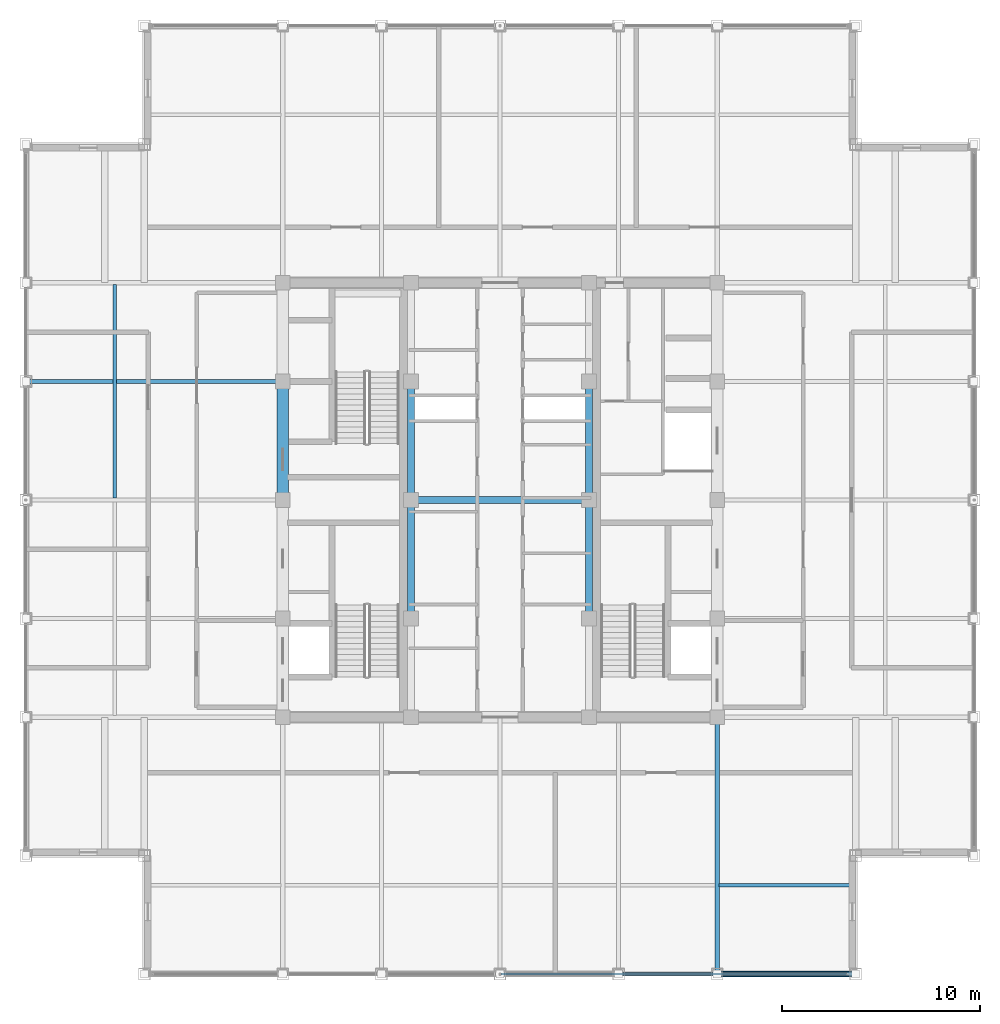
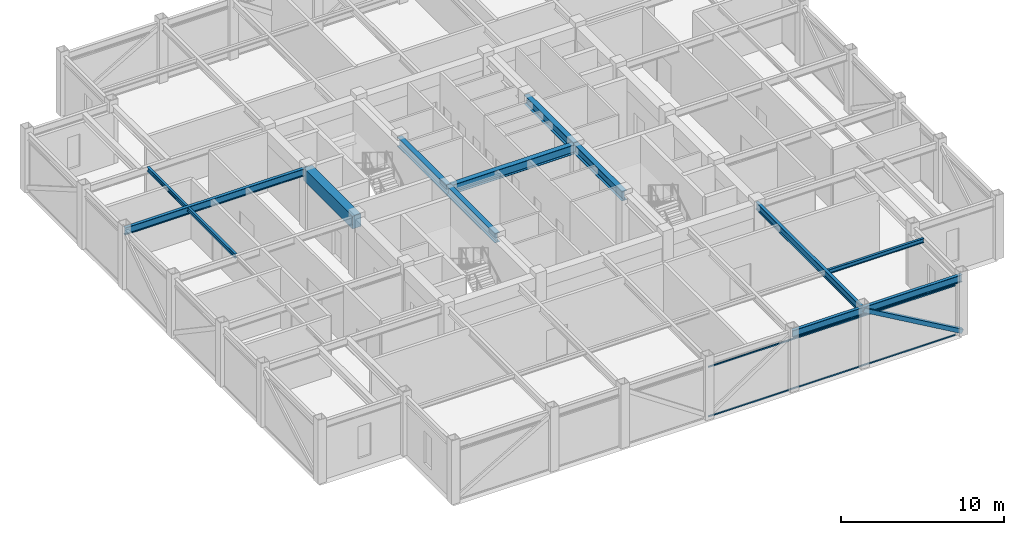
# One storey, part 7 of 27: 12 beams, 3 members, 1 element without a shape of its own.
"""IFC4 building model written with IfcOpenShell, lengths in metres."""

from ifc_helpers import new_model, si_unit, direction, frame, origin, origin_2d, place, context, subcontext, project, spatial, rectangle, hollow_rectangle, i_section, extrude, source, transform, mapped, material, material_profile, profile_set, type_object, element, aggregate, save


model = new_model("IFC4")

# Units and contexts
model_context = context("Model", 3, precision=1e-05, world=origin(), true_north=direction((0.0, 1.0)))
body_context = subcontext(model_context, "Body", "Model", "MODEL_VIEW")
ifc_project = project(units=[si_unit("LENGTHUNIT", "METRE"), si_unit("AREAUNIT", "SQUARE_METRE"), si_unit("VOLUMEUNIT", "CUBIC_METRE"), si_unit("PLANEANGLEUNIT", "RADIAN"), si_unit("MASSUNIT", "GRAM", prefix="KILO")], contexts=[model_context])

# Site, building, storey
site_placement = place(None, origin())
site = spatial("IfcSite", under=ifc_project, at=site_placement, CompositionType="ELEMENT")
building_placement = place(site_placement, origin())
building = spatial("IfcBuilding", under=site, at=building_placement, Name="Khorayat Bourse Tower", CompositionType="ELEMENT")
storey_placement = place(building_placement, frame((0.0, 0.0, 394.699951171875)))
storey = spatial("IfcBuildingStorey", under=building, at=storey_placement, Name="L93", CompositionType="ELEMENT", Elevation=394.699951171875)

# Beams
ifc_material_1 = material(Name="Steel ASTM A992 Grade 50", Category="steel")
ifc_material_profile_1 = material_profile(ifc_material_1, i_section(OverallWidth=0.35498046875, OverallDepth=0.695068359375, WebThickness=0.015380859375, FlangeThickness=0.02490234375, FilletRadius=0.01806640625, at=origin_2d()), Name="W690X217")
ifc_profile_set_1 = profile_set([ifc_material_profile_1], Name="Steel ASTM A992 Grade 50")
beam_type_1 = type_object("IfcBeamType", Name="BM-GIRD-690", PredefinedType="BEAM", material=ifc_profile_set_1)
shared_shape_1 = source(origin(), body_context, "Body", "SweptSolid", [
    extrude(i_section(OverallWidth=0.35498046875, OverallDepth=0.695068359375, WebThickness=0.015380859375, FlangeThickness=0.02490234375, FilletRadius=0.01806640625, at=origin_2d()), origin(), (0.0, 0.0, 1.0), 6.0),
])
for number, where, z_axis, x_axis, name in (
    (1, (-4.5, -6.0, 4.1025390625), (0.0, 1.0, 0.0), (-1.0, 0.0, 0.0), "L93 BM-GIRD-690 BM-L93-CRX-06"),
    (2, (-4.5, 0.0, 4.1025390625), (0.0, 1.0, 0.0), (-1.0, 0.0, 0.0), "L93 BM-GIRD-690 BM-L93-CRX-07"),
    (3, (4.5, -6.0, 4.1025390625), (0.0, 1.0, 0.0), (-1.0, 0.0, 0.0), "L93 BM-GIRD-690 BM-L93-CRX-10"),
    (4, (4.5, 0.0, 4.1025390625), (0.0, 1.0, 0.0), (-1.0, 0.0, 0.0), "L93 BM-GIRD-690 BM-L93-CRX-11"),
):
    element("IfcBeam", number, at=place(storey_placement, frame(where, z_axis=z_axis, x_axis=x_axis)), inside=storey, type_object=beam_type_1, Name=name, PredefinedType="BEAM", context=body_context, shape_type="MappedRepresentation", body=[
        mapped(shared_shape_1, transform((0.0, 0.0, 0.0), scale=1.0)),
    ])
shared_shape_2 = source(origin(), body_context, "Body", "SweptSolid", [
    extrude(i_section(OverallWidth=0.35498046875, OverallDepth=0.695068359375, WebThickness=0.015380859375, FlangeThickness=0.02490234375, FilletRadius=0.01806640625, at=origin_2d()), origin(), (0.0, 0.0, 1.0), 9.0),
])
beam_1_placement = place(storey_placement, frame((-4.5, 0.0, 4.1025390625), z_axis=(1.0, 0.0, 0.0), x_axis=(0.0, 1.0, 0.0)))
element("IfcBeam", 5, at=beam_1_placement, inside=storey, type_object=beam_type_1, Name="L93 BM-GIRD-690 BM-L93-CRY-23", PredefinedType="BEAM", context=body_context, shape_type="MappedRepresentation", body=[
    mapped(shared_shape_2, transform((0.0, 0.0, 0.0), scale=1.0)),
])
ifc_material_2 = material(Name="Concrete C60/75", Category="concrete")
ifc_material_profile_2 = material_profile(ifc_material_2, rectangle(XDim=0.60009765625, YDim=0.949951171875, at=origin_2d()), Name="RC 600x950")
ifc_profile_set_2 = profile_set([ifc_material_profile_2], Name="Concrete C60/75")
beam_type_2 = type_object("IfcBeamType", Name="BM-COUP-950", PredefinedType="BEAM", material=ifc_profile_set_2)
shared_shape_3 = source(origin(), body_context, "Body", "SweptSolid", [
    extrude(rectangle(XDim=0.60009765625, YDim=0.949951171875, at=origin_2d()), origin(), (0.0, 0.0, 1.0), 6.0),
])
beam_2_placement = place(storey_placement, frame((-11.0, 0.0, 3.97509765625), z_axis=(0.0, 1.0, 0.0), x_axis=(-1.0, 0.0, 0.0)))
element("IfcBeam", 6, at=beam_2_placement, inside=storey, type_object=beam_type_2, Name="L93 BM-COUP-950 BM-L93-CRX-03", PredefinedType="BEAM", context=body_context, shape_type="MappedRepresentation", body=[
    mapped(shared_shape_3, transform((0.0, 0.0, 0.0), scale=1.0)),
])
ifc_material_profile_3 = material_profile(ifc_material_1, i_section(OverallWidth=0.214111328125, OverallDepth=0.549072265625, WebThickness=0.0146484375, FlangeThickness=0.023681640625, FilletRadius=0.013916015625, at=origin_2d()), Name="W530X138")
ifc_profile_set_3 = profile_set([ifc_material_profile_3], Name="Steel ASTM A992 Grade 50")
beam_type_3 = type_object("IfcBeamType", Name="BM-SPAN-530", PredefinedType="SPANDREL", material=ifc_profile_set_3)
shared_shape_4 = source(origin(), body_context, "Body", "SweptSolid", [
    extrude(i_section(OverallWidth=0.214111328125, OverallDepth=0.549072265625, WebThickness=0.0146484375, FlangeThickness=0.023681640625, FilletRadius=0.013916015625, at=origin_2d()), origin(), (0.0, 0.0, 1.0), 5.0),
])
beam_3_placement = place(storey_placement, frame((6.0, -24.0, 4.175537109375), z_axis=(1.0, 0.0, 0.0), x_axis=(0.0, 1.0, 0.0)))
element("IfcBeam", 7, at=beam_3_placement, inside=storey, type_object=beam_type_3, Name="L93 BM-SPAN-530 BM-L93-SPN-028", PredefinedType="SPANDREL", context=body_context, shape_type="MappedRepresentation", body=[
    mapped(shared_shape_4, transform((0.0, 0.0, 0.0), scale=1.0)),
])
shared_shape_5 = source(origin(), body_context, "Body", "SweptSolid", [
    extrude(i_section(OverallWidth=0.214111328125, OverallDepth=0.549072265625, WebThickness=0.0146484375, FlangeThickness=0.023681640625, FilletRadius=0.013916015625, at=origin_2d()), origin(), (0.0, 0.0, 1.0), 7.0),
])
beam_4_placement = place(storey_placement, frame((11.0, -24.0, 4.175537109375), z_axis=(1.0, 0.0, 0.0), x_axis=(0.0, 1.0, 0.0)))
element("IfcBeam", 8, at=beam_4_placement, inside=storey, type_object=beam_type_3, Name="L93 BM-SPAN-530 BM-L93-SPN-029", PredefinedType="SPANDREL", context=body_context, shape_type="MappedRepresentation", body=[
    mapped(shared_shape_5, transform((0.0, 0.0, 0.0), scale=1.0)),
])
ifc_material_profile_4 = material_profile(ifc_material_1, i_section(OverallWidth=0.214111328125, OverallDepth=0.549072265625, WebThickness=0.0146484375, FlangeThickness=0.023681640625, FilletRadius=0.013916015625, at=origin_2d()), Name="W530X138")
ifc_profile_set_4 = profile_set([ifc_material_profile_4], Name="Steel ASTM A992 Grade 50")
beam_type_4 = type_object("IfcBeamType", Name="BM-GIRD-530", PredefinedType="BEAM", material=ifc_profile_set_4)
shared_shape_6 = source(origin(), body_context, "Body", "SweptSolid", [
    extrude(i_section(OverallWidth=0.214111328125, OverallDepth=0.549072265625, WebThickness=0.0146484375, FlangeThickness=0.023681640625, FilletRadius=0.013916015625, at=origin_2d()), origin(), (0.0, 0.0, 1.0), 13.0),
])
for number, where, z_axis, x_axis, name in (
    (9, (11.0, -24.0, 4.175537109375), (0.0, 1.0, 0.0), (-1.0, 0.0, 0.0), "L93 BM-GIRD-530 BM-L93-RADY-065"),
    (10, (-24.0, 6.0, 4.175537109375), (1.0, 0.0, 0.0), (0.0, 1.0, 0.0), "L93 BM-GIRD-530 BM-L93-RADX-073"),
):
    element("IfcBeam", number, at=place(storey_placement, frame(where, z_axis=z_axis, x_axis=x_axis)), inside=storey, type_object=beam_type_4, Name=name, PredefinedType="BEAM", context=body_context, shape_type="MappedRepresentation", body=[
        mapped(shared_shape_6, transform((0.0, 0.0, 0.0), scale=1.0)),
    ])
ifc_material_profile_5 = material_profile(ifc_material_1, i_section(OverallWidth=0.1669921875, OverallDepth=0.31689453125, WebThickness=0.007568359375, FlangeThickness=0.01318359375, FilletRadius=0.010009765625, at=origin_2d()), Name="W310X52")
ifc_profile_set_5 = profile_set([ifc_material_profile_5], Name="Steel ASTM A992 Grade 50")
beam_type_5 = type_object("IfcBeamType", Name="BM-JOIST-310", PredefinedType="JOIST", material=ifc_profile_set_5)
shared_shape_7 = source(origin(), body_context, "Body", "SweptSolid", [
    extrude(i_section(OverallWidth=0.1669921875, OverallDepth=0.31689453125, WebThickness=0.007568359375, FlangeThickness=0.01318359375, FilletRadius=0.010009765625, at=origin_2d()), origin(), (0.0, 0.0, 1.0), 6.81005859375),
])
beam_5_placement = place(storey_placement, frame((11.094970703125, -19.5, 4.29150390625), z_axis=(1.0, 0.0, 0.0), x_axis=(0.0, 1.0, 0.0)))
element("IfcBeam", 11, at=beam_5_placement, inside=storey, type_object=beam_type_5, Name="L93 BM-JOIST-310 BM-L93-JSTX-086", PredefinedType="JOIST", context=body_context, shape_type="MappedRepresentation", body=[
    mapped(shared_shape_7, transform((0.0, 0.0, 0.0), scale=1.0)),
])
shared_shape_8 = source(origin(), body_context, "Body", "SweptSolid", [
    extrude(i_section(OverallWidth=0.1669921875, OverallDepth=0.31689453125, WebThickness=0.007568359375, FlangeThickness=0.01318359375, FilletRadius=0.010009765625, at=origin_2d()), origin(), (0.0, 0.0, 1.0), 10.81005859375),
])
beam_6_placement = place(storey_placement, frame((-19.5, 0.094970703125, 4.29150390625), z_axis=(0.0, 1.0, 0.0), x_axis=(-1.0, 0.0, 0.0)))
element("IfcBeam", 12, at=beam_6_placement, inside=storey, type_object=beam_type_5, Name="L93 BM-JOIST-310 BM-L93-JSTY-091", PredefinedType="JOIST", context=body_context, shape_type="MappedRepresentation", body=[
    mapped(shared_shape_8, transform((0.0, 0.0, 0.0), scale=1.0)),
])

# Member
ifc_material_3 = material(Name="Steel EN 10025-2 S355J2", Category="steel")
ifc_material_profile_6 = material_profile(ifc_material_3, hollow_rectangle(XDim=0.300048828125, YDim=0.300048828125, WallThickness=0.01611328125, at=origin_2d()), Name="HSS 300x300x16")
ifc_profile_set_6 = profile_set([ifc_material_profile_6], Name="Steel EN 10025-2 S355J2")
member_type_1 = type_object("IfcMemberType", Name="MBR-CROWN-300", PredefinedType="USERDEFINED", material=ifc_profile_set_6)
shared_shape_9 = source(origin(), body_context, "Body", "SweptSolid", [
    extrude(hollow_rectangle(XDim=0.300048828125, YDim=0.300048828125, WallThickness=0.01611328125, at=origin_2d()), origin(), (0.0, 0.0, 1.0), 8.087158203125),
])
member_1_placement = place(storey_placement, frame((11.0, -24.0, 4.25), z_axis=(0.865564731219, 0.0, -0.500797060763), x_axis=(0.0, 1.0, 0.0)))
element("IfcMember", 13, at=member_1_placement, inside=storey, type_object=member_type_1, Name="L93 Lantern Crown Frame Member 04", ObjectType="CROWN FRAME", PredefinedType="USERDEFINED", context=body_context, shape_type="MappedRepresentation", body=[
    mapped(shared_shape_9, transform((0.0, 0.0, 0.0), scale=1.0)),
])

# Curtain wall, members
ifc_material_4 = material(Name="Aluminium EN AW-6063 T6", Category="aluminium")
curtain_wall_type = type_object("IfcCurtainWallType", Name="CW-SYS-07", PredefinedType="NOTDEFINED", material=ifc_material_4)
curtain_wall_placement = place(storey_placement, origin())
curtain_wall = element("IfcCurtainWall", 14, at=curtain_wall_placement, inside=storey, type_object=curtain_wall_type, Name="L93 Curtain Wall CW-L93-S1", PredefinedType="NOTDEFINED")
ifc_material_profile_7 = material_profile(ifc_material_4, hollow_rectangle(XDim=0.090087890625, YDim=0.090087890625, WallThickness=0.00390625, at=origin_2d()), Name="ALU 90x90x4")
ifc_profile_set_7 = profile_set([ifc_material_profile_7], Name="Aluminium EN AW-6063 T6")
member_type_2 = type_object("IfcMemberType", Name="CWT-HORZ-90", PredefinedType="USERDEFINED", material=ifc_profile_set_7)
shared_shape_10 = source(origin(), body_context, "Body", "SweptSolid", [
    extrude(hollow_rectangle(XDim=0.090087890625, YDim=0.090087890625, WallThickness=0.00390625, at=origin_2d()), origin(), (0.0, 0.0, 1.0), 17.5),
])
member_2_placement = place(storey_placement, frame((0.050048828125, -24.0, 0.045166015625), z_axis=(1.0, 0.0, 0.0), x_axis=(0.0, 1.0, 0.0)))
member_2 = element("IfcMember", 15, at=member_2_placement, type_object=member_type_2, Name="CW-L93-S1 Horizontal Transom 2-1", ObjectType="TRANSOM", PredefinedType="USERDEFINED", context=body_context, shape_type="MappedRepresentation", body=[
    mapped(shared_shape_10, transform((0.0, 0.0, 0.0), scale=1.0)),
])
member_3_placement = place(storey_placement, frame((0.050048828125, -24.0, 3.755126953125), z_axis=(1.0, 0.0, 0.0), x_axis=(0.0, 1.0, 0.0)))
member_3 = element("IfcMember", 16, at=member_3_placement, type_object=member_type_2, Name="CW-L93-S1 Horizontal Transom 2-2", ObjectType="TRANSOM", PredefinedType="USERDEFINED", context=body_context, shape_type="MappedRepresentation", body=[
    mapped(shared_shape_10, transform((0.0, 0.0, 0.0), scale=1.0)),
])
aggregate(curtain_wall, [member_2, member_3])

save(model, "model.ifc")
